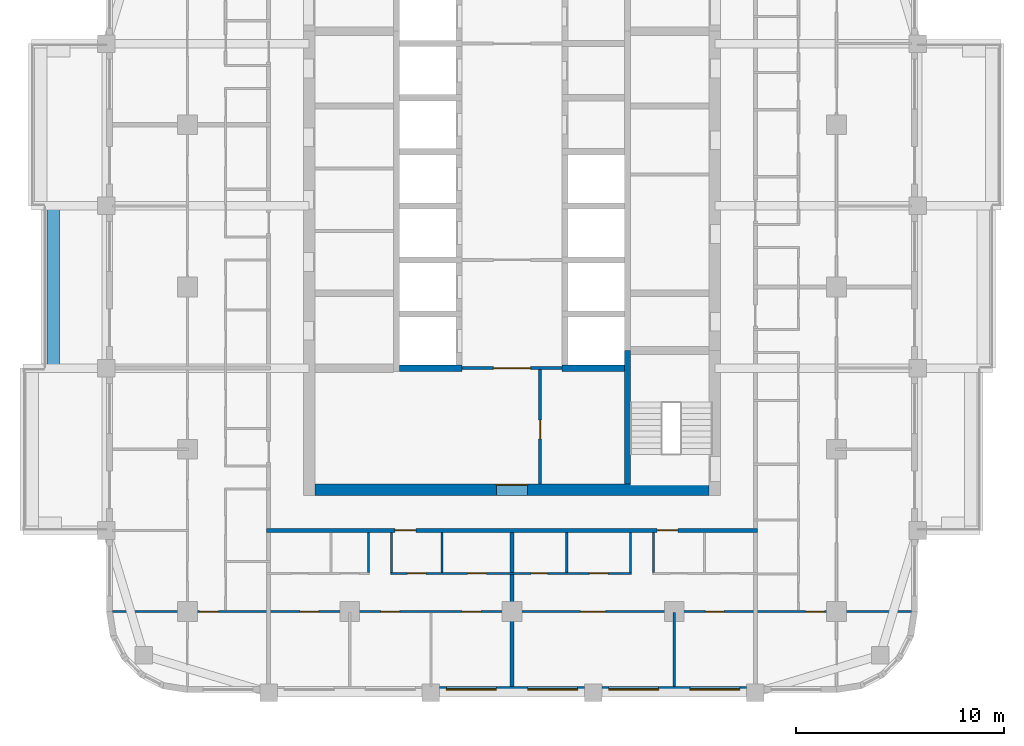
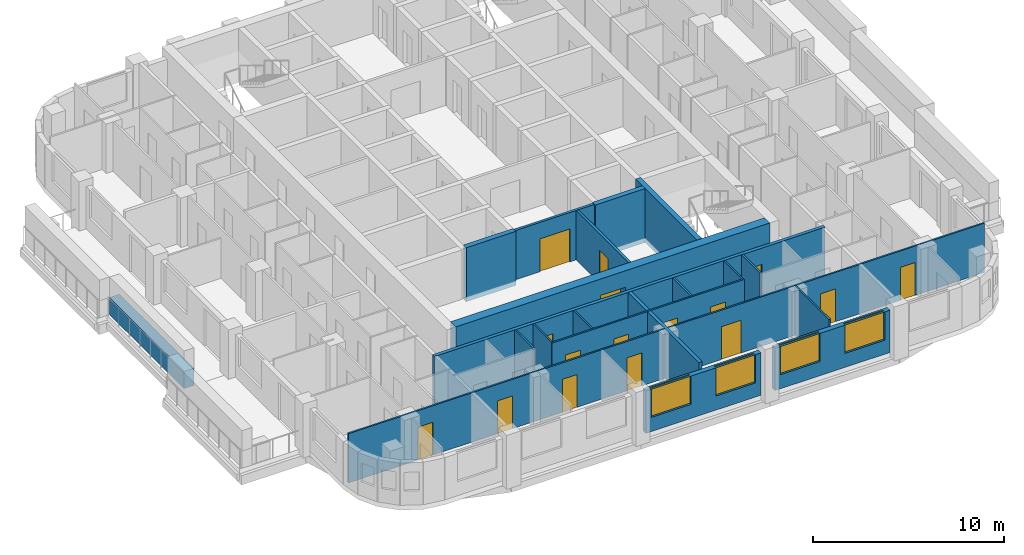
# One storey, part 3 of 13: 20 walls, 16 doors, 4 windows, 20 openings.
"""IFC4 building model written with IfcOpenShell, lengths in metres."""

import ifcopenshell
import ifcopenshell.guid

model = None  # the IFC model being written
_history = None  # IfcOwnerHistory: only IFC2X3 demands one
_inside = {}  # id of a spatial element -> (the spatial element, [elements in it])
_under = {}  # id of a project, library or spatial element -> (it, [spatial elements below it])
_declared = {}  # id of a project -> (the project, [libraries it declares])
_typed = {}  # id of a type object -> (the type object, [elements of that type])
_made_of = {}  # id of a material, layer set ... -> (it, [elements and type objects made of it])


def new_model(schema):
    """Start an empty IFC model of exactly this schema.

    Asked for "IFC4X3", IfcOpenShell would pick the latest addendum, in which some entities
    have other attributes; the version numbers below select the first issue.
    IFC2X3 requires an IfcOwnerHistory on every rooted entity: one is made here for all.
    """
    global model, _history
    if schema == "IFC4X3":
        model = ifcopenshell.file(schema_version=(4, 3, 0, 0))
    else:
        model = ifcopenshell.file(schema=schema)
    _inside.clear()
    _under.clear()
    _declared.clear()
    _typed.clear()
    _made_of.clear()
    _history = None
    if model.schema == "IFC2X3":
        org = make("IfcOrganization", Name="unknown")
        user = make(
            "IfcPersonAndOrganization",
            ThePerson=make("IfcPerson", FamilyName="unknown"),
            TheOrganization=org,
        )
        app = make(
            "IfcApplication",
            ApplicationDeveloper=org,
            Version="unknown",
            ApplicationFullName="unknown",
            ApplicationIdentifier="unknown",
        )
        _history = make(
            "IfcOwnerHistory",
            OwningUser=user,
            OwningApplication=app,
            ChangeAction="ADDED",
            CreationDate=0,
        )
    return model


def make(cls, **values):
    """One entity of the class cls with the attributes given. An attribute that is None is left unset."""
    return model.create_entity(
        cls, **{name: value for name, value in values.items() if value is not None}
    )


def rooted(cls, **values):
    """An entity with a GlobalId (a new one), such as an element, a storey or a relation."""
    return make(cls, GlobalId=ifcopenshell.guid.new(), OwnerHistory=_history, **values)


def si_unit(unit_type, name, prefix=None):
    """IfcSIUnit, for example si_unit("LENGTHUNIT", "METRE", prefix="MILLI")."""
    return make("IfcSIUnit", UnitType=unit_type, Prefix=prefix, Name=name)


def assignment(units):
    """IfcUnitAssignment: the units of a project."""
    return None if units is None else make("IfcUnitAssignment", Units=units)


def point(xyz):
    """IfcCartesianPoint."""
    return None if xyz is None else make("IfcCartesianPoint", Coordinates=xyz)


def direction(xyz):
    """IfcDirection."""
    return None if xyz is None else make("IfcDirection", DirectionRatios=xyz)


def frame(location, z_axis=None, x_axis=None):
    """IfcAxis2Placement3D, a coordinate frame: its origin and axes. An axis left out is left unset."""
    return make(
        "IfcAxis2Placement3D",
        Location=point(location),
        Axis=direction(z_axis),
        RefDirection=direction(x_axis),
    )


def frame_2d(location, x_axis=None):
    """IfcAxis2Placement2D, a coordinate frame in the plane: its origin and x axis."""
    return make(
        "IfcAxis2Placement2D", Location=point(location), RefDirection=direction(x_axis)
    )


def origin():
    """The frame at (0, 0, 0) with its axes left unset."""
    return frame((0.0, 0.0, 0.0))


def place(relative_to, where):
    """IfcLocalPlacement: puts the frame where relative to a parent placement (None: the world)."""
    return make(
        "IfcLocalPlacement", PlacementRelTo=relative_to, RelativePlacement=where
    )


def context(
    kind, dimensions, precision=None, world=None, true_north=None, identifier=None
):
    """IfcGeometricRepresentationContext, for example the 3D "Model" context."""
    return make(
        "IfcGeometricRepresentationContext",
        ContextIdentifier=identifier,
        ContextType=kind,
        CoordinateSpaceDimension=dimensions,
        Precision=precision,
        WorldCoordinateSystem=world,
        TrueNorth=true_north,
    )


def subcontext(parent, identifier, kind, view, scale=None):
    """IfcGeometricRepresentationSubContext, for example "Body" below "Model"."""
    return make(
        "IfcGeometricRepresentationSubContext",
        ContextIdentifier=identifier,
        ContextType=kind,
        ParentContext=parent,
        TargetScale=scale,
        TargetView=view,
    )


def project(units=None, contexts=None):
    """IfcProject with its units and contexts."""
    return rooted(
        "IfcProject",
        Name="project",
        RepresentationContexts=contexts,
        UnitsInContext=assignment(units),
    )


def spatial(cls, under=None, at=None, **own):
    """A site, building, storey or space (cls), placed at a placement, below another one or the project."""
    s = rooted(cls, ObjectPlacement=at, **own)
    if under is not None:
        _under.setdefault(under.id(), (under, []))[1].append(s)
    return s


def profile(cls, at=None, kind="AREA", **sizes):
    """A parametric profile (cls). Its sizes go by their IFC names, for example OverallWidth=200.0."""
    return make(cls, ProfileType=kind, Position=at, **sizes)


def rectangle(**sizes):
    """IfcRectangleProfileDef."""
    return profile("IfcRectangleProfileDef", **sizes)


def extrude(swept, where, along, depth):
    """IfcExtrudedAreaSolid: the profile swept, set in the frame where, extruded along a direction by depth."""
    return make(
        "IfcExtrudedAreaSolid",
        SweptArea=swept,
        Position=where,
        ExtrudedDirection=direction(along),
        Depth=depth,
    )


def shape(context_of_items, identifier, shape_type, items):
    """IfcShapeRepresentation: the items that make up one representation, for example the "Body"."""
    return make(
        "IfcShapeRepresentation",
        ContextOfItems=context_of_items,
        RepresentationIdentifier=identifier,
        RepresentationType=shape_type,
        Items=items,
    )


def material(Name=None, Category=None):
    """IfcMaterial."""
    return make("IfcMaterial", Name=Name, Category=Category)


def layer(
    of_material, thickness, ventilated=None, Name=None, Category=None, Priority=None
):
    """IfcMaterialLayer: one layer of a wall or slab, of a material (None: an air gap)."""
    return make(
        "IfcMaterialLayer",
        Material=of_material,
        LayerThickness=thickness,
        IsVentilated=ventilated,
        Name=Name,
        Category=Category,
        Priority=Priority,
    )


def layer_set(layers, Name=None):
    """IfcMaterialLayerSet."""
    return make("IfcMaterialLayerSet", MaterialLayers=layers, LayerSetName=Name)


def made_of(thing, what):
    """Note that an element or type object is made of a material, layer set ...; save() writes the relation."""
    if what is not None:
        _made_of.setdefault(what.id(), (what, []))[1].append(thing)
    return thing


def type_object(cls, material=None, **own):
    """A type object (cls), such as IfcWallType, which elements share."""
    return made_of(rooted(cls, **own), material)


def element(
    cls,
    number,
    at=None,
    inside=None,
    cuts=None,
    type_object=None,
    material=None,
    context=None,
    identifier="Body",
    shape_type=None,
    held_by="IfcProductDefinitionShape",
    body=None,
    shapes=None,
    **own,
):
    """One element of the class cls, such as IfcWall. Its Tag is "e" and its number.

    at: its placement. inside: the storey or other place that contains it. cuts: it is an
    opening in that element (IfcRelVoidsElement). A single representation is given by context,
    identifier, shape_type and body (its items); several are given by shapes. held_by: the class
    of the entity that holds the representations. save() writes the other relations.
    """
    e = rooted(cls, Tag="e%d" % number, ObjectPlacement=at, **own)
    if body is not None:
        shapes = [shape(context, identifier, shape_type, body)]
    if shapes is not None:
        e.Representation = make(held_by, Representations=shapes)
    if inside is not None:
        _inside.setdefault(inside.id(), (inside, []))[1].append(e)
    if cuts is not None:
        rooted(
            "IfcRelVoidsElement", RelatingBuildingElement=cuts, RelatedOpeningElement=e
        )
    if type_object is not None:
        _typed.setdefault(type_object.id(), (type_object, []))[1].append(e)
    return made_of(e, material)


def fill(opening, filler):
    """IfcRelFillsElement: the door or window that sits in an opening."""
    return rooted(
        "IfcRelFillsElement",
        RelatingOpeningElement=opening,
        RelatedBuildingElement=filler,
    )


def aggregate(whole, parts):
    """IfcRelAggregates: a whole, such as a stair, and the parts it consists of."""
    return rooted("IfcRelAggregates", RelatingObject=whole, RelatedObjects=parts)


def save(model, path):
    """Write the relations noted so far, then the file.

    IfcRelAggregates (storeys below a building ...), IfcRelContainedInSpatialStructure (elements
    in a storey), IfcRelDefinesByType, IfcRelAssociatesMaterial and IfcRelDeclares: one each for
    every whole, place, type object, material and project.
    """
    for whole, parts in _under.values():
        aggregate(whole, parts)
    for where, things in _inside.values():
        rooted(
            "IfcRelContainedInSpatialStructure",
            RelatedElements=things,
            RelatingStructure=where,
        )
    for kind, things in _typed.values():
        rooted("IfcRelDefinesByType", RelatedObjects=things, RelatingType=kind)
    for what, things in _made_of.values():
        rooted("IfcRelAssociatesMaterial", RelatedObjects=things, RelatingMaterial=what)
    for by, libraries in _declared.values():
        rooted("IfcRelDeclares", RelatingContext=by, RelatedDefinitions=libraries)
    model.write(path)


model = new_model("IFC4")

# Units and contexts
model_context = context("Model", 3, precision=1e-05, world=origin(), true_north=direction((0.0, 1.0)))
body_context = subcontext(model_context, "Body", "Model", "MODEL_VIEW")
ifc_project = project(units=[si_unit("LENGTHUNIT", "METRE"), si_unit("AREAUNIT", "SQUARE_METRE"), si_unit("VOLUMEUNIT", "CUBIC_METRE"), si_unit("PLANEANGLEUNIT", "RADIAN"), si_unit("MASSUNIT", "GRAM", prefix="KILO")], contexts=[model_context])

# Site, building, storey
site_placement = place(None, origin())
site = spatial("IfcSite", under=ifc_project, at=site_placement, CompositionType="ELEMENT")
building_placement = place(site_placement, origin())
building = spatial("IfcBuilding", under=site, at=building_placement, Name="Ludao Terraces", CompositionType="ELEMENT")
storey_placement = place(building_placement, frame((0.0, 0.0, 123.699951171875)))
storey = spatial("IfcBuildingStorey", under=building, at=storey_placement, Name="L33", CompositionType="ELEMENT", Elevation=123.699951171875)

# Wall, opening, door
ifc_material_1 = material(Name="Concrete C60", Category="concrete")
ifc_layer_1 = layer(ifc_material_1, 0.550048828125)
ifc_layer_set_1 = layer_set([ifc_layer_1], Name="Core wall 550 C60")
wall_type_1 = type_object("IfcWallType", Name="Core wall 550 C60", PredefinedType="SOLIDWALL", material=ifc_layer_set_1)
wall_1_placement = place(storey_placement, frame((75.52490234375, 55.25, -0.300048828125), z_axis=(0.0, 0.0, 1.0), x_axis=(1.0, 0.0, 0.0)))
wall_1 = element("IfcWall", 1, at=wall_1_placement, inside=storey, type_object=wall_type_1, Name="Core wall L33 outer-S", PredefinedType="SOLIDWALL", context=body_context, shape_type="SweptSolid", body=[
    extrude(rectangle(XDim=18.9501953125, YDim=0.550048828125, at=frame_2d((9.47509765625, 0.0))), origin(), (0.0, 0.0, 1.0), 3.4501953125),
])
opening_1_placement = place(wall_1_placement, frame((8.72509765625, 0.0, 0.300048828125)))
opening_1 = element("IfcOpeningElement", 2, at=opening_1_placement, cuts=wall_1, Name="Opening R10-028", PredefinedType="OPENING", context=body_context, shape_type="SweptSolid", body=[
    extrude(rectangle(XDim=1.5, YDim=2.10009765625, at=frame_2d((0.75, 1.050048828125))), frame((0.0, 0.28515625, 0.0), z_axis=(0.0, -1.0, 0.0), x_axis=(1.0, 0.0, 0.0)), (0.0, 0.0, 1.0), 0.570068359375),
])
ifc_material_2 = material(Name="Steel Q235", Category="steel")
door_type_1 = type_object("IfcDoorType", Name="INT Lobby door 1500", OperationType="DOUBLE_DOOR_SINGLE_SWING", PredefinedType="DOOR", material=ifc_material_2)
door_1_placement = place(opening_1_placement, origin())
door_1 = element("IfcDoor", 3, at=door_1_placement, inside=storey, type_object=door_type_1, Name="DOOR 028", OperationType="DOUBLE_DOOR_SINGLE_SWING", OverallHeight=2.10009765625, OverallWidth=1.5, PredefinedType="DOOR", context=body_context, shape_type="SweptSolid", body=[
    extrude(rectangle(XDim=1.5, YDim=2.10009765625, at=frame_2d((0.75, 1.050048828125))), frame((0.0, 0.26025390625, 0.0), z_axis=(0.0, -1.0, 0.0), x_axis=(1.0, 0.0, 0.0)), (0.0, 0.0, 1.0), 0.050048828125),
])
fill(opening_1, door_1)

# Wall
ifc_material_3 = material(Name="Concrete C40", Category="concrete")
ifc_layer_2 = layer(ifc_material_3, 0.60009765625)
ifc_layer_set_2 = layer_set([ifc_layer_2], Name="ENV Planter trough 600")
wall_type_2 = type_object("IfcWallType", Name="ENV Planter trough 600", PredefinedType="USERDEFINED", material=ifc_layer_set_2)
wall_2_placement = place(storey_placement, frame((62.949951171875, 61.10009765625, 0.0), z_axis=(0.0, 0.0, 1.0), x_axis=(0.0, 1.0, 0.0)))
element("IfcWall", 4, at=wall_2_placement, inside=storey, type_object=wall_type_2, Name="PL-L33-W2", ObjectType="PLANTER", PredefinedType="USERDEFINED", context=body_context, shape_type="SweptSolid", body=[
    extrude(rectangle(XDim=7.7998046875, YDim=0.60009765625, at=frame_2d((3.89990234375, 0.0))), origin(), (0.0, 0.0, 1.0), 1.10009765625),
])

# Wall, openings, windows
ifc_material_4 = material(Name="Granite cladding", Category="masonry")
ifc_layer_3 = layer(ifc_material_4, 0.0400390625, Category="stone")
ifc_material_5 = material(Name="Mineral wool")
ifc_layer_4 = layer(ifc_material_5, 0.06005859375)
ifc_layer_5 = layer(ifc_material_3, 0.199951171875, Category="concrete")
ifc_layer_set_3 = layer_set([ifc_layer_3, ifc_layer_4, ifc_layer_5], Name="ENV Stone-clad wall 300")
wall_type_3 = type_object("IfcWallType", Name="ENV Stone-clad wall 300", PredefinedType="SOLIDWALL", material=ifc_layer_set_3)
wall_3_placement = place(storey_placement, frame((81.52490234375, 45.64990234375, 0.0), z_axis=(0.0, 0.0, 1.0), x_axis=(1.0, 0.0, 0.0)))
wall_3 = element("IfcWall", 5, at=wall_3_placement, inside=storey, type_object=wall_type_3, Name="EW-L33-S3", PredefinedType="SOLIDWALL", context=body_context, shape_type="SweptSolid", body=[
    extrude(rectangle(XDim=6.9501953125, YDim=0.300048828125, at=frame_2d((3.47509765625, 0.0))), origin(), (0.0, 0.0, 1.0), 2.699951171875),
])
opening_2_placement = place(wall_3_placement, frame((0.324951171875, 0.0, 0.89990234375)))
opening_2 = element("IfcOpeningElement", 6, at=opening_2_placement, cuts=wall_3, Name="Opening W1", PredefinedType="OPENING", context=body_context, shape_type="SweptSolid", body=[
    extrude(rectangle(XDim=2.39990234375, YDim=1.800048828125, at=frame_2d((1.199951171875, 0.89990234375))), frame((0.0, 0.16015625, 0.0), z_axis=(0.0, -1.0, 0.0), x_axis=(1.0, 0.0, 0.0)), (0.0, 0.0, 1.0), 0.320068359375),
])
opening_3_placement = place(wall_3_placement, frame((4.22509765625, 0.0, 0.89990234375)))
opening_3 = element("IfcOpeningElement", 7, at=opening_3_placement, cuts=wall_3, Name="Opening W1", PredefinedType="OPENING", context=body_context, shape_type="SweptSolid", body=[
    extrude(rectangle(XDim=2.39990234375, YDim=1.800048828125, at=frame_2d((1.199951171875, 0.89990234375))), frame((0.0, 0.16015625, 0.0), z_axis=(0.0, -1.0, 0.0), x_axis=(1.0, 0.0, 0.0)), (0.0, 0.0, 1.0), 0.320068359375),
])
ifc_material_6 = material(Name="Clear glass in aluminium frame", Category="aluminium")
ifc_layer_6 = layer(ifc_material_6, 0.06005859375)
ifc_layer_set_4 = layer_set([ifc_layer_6], Name="ENV Window W1 2400x1800")
window_type = type_object("IfcWindowType", Name="ENV Window W1 2400x1800", PartitioningType="DOUBLE_PANEL_VERTICAL", PredefinedType="WINDOW", material=ifc_layer_set_4)
window_1_placement = place(opening_2_placement, origin())
window_1 = element("IfcWindow", 8, at=window_1_placement, inside=storey, type_object=window_type, Name="W-L33-S3-1", OverallHeight=1.800048828125, OverallWidth=2.39990234375, PartitioningType="DOUBLE_PANEL_VERTICAL", PredefinedType="WINDOW", context=body_context, shape_type="SweptSolid", body=[
    extrude(rectangle(XDim=2.39990234375, YDim=1.800048828125, at=frame_2d((1.199951171875, 0.89990234375))), frame((0.0, 0.030029296875, 0.0), z_axis=(0.0, -1.0, 0.0), x_axis=(1.0, 0.0, 0.0)), (0.0, 0.0, 1.0), 0.06005859375),
])
fill(opening_2, window_1)
window_2_placement = place(opening_3_placement, origin())
window_2 = element("IfcWindow", 9, at=window_2_placement, inside=storey, type_object=window_type, Name="W-L33-S3-2", OverallHeight=1.800048828125, OverallWidth=2.39990234375, PartitioningType="DOUBLE_PANEL_VERTICAL", PredefinedType="WINDOW", context=body_context, shape_type="SweptSolid", body=[
    extrude(rectangle(XDim=2.39990234375, YDim=1.800048828125, at=frame_2d((1.199951171875, 0.89990234375))), frame((0.0, 0.030029296875, 0.0), z_axis=(0.0, -1.0, 0.0), x_axis=(1.0, 0.0, 0.0)), (0.0, 0.0, 1.0), 0.06005859375),
])
fill(opening_3, window_2)

wall_4_placement = place(storey_placement, frame((89.324951171875, 45.64990234375, 0.0), z_axis=(0.0, 0.0, 1.0), x_axis=(1.0, 0.0, 0.0)))
wall_4 = element("IfcWall", 10, at=wall_4_placement, inside=storey, type_object=wall_type_3, Name="EW-L33-S4", PredefinedType="SOLIDWALL", context=body_context, shape_type="SweptSolid", body=[
    extrude(rectangle(XDim=6.949951171875, YDim=0.300048828125, at=frame_2d((3.47509765625, 0.0))), origin(), (0.0, 0.0, 1.0), 2.699951171875),
])
opening_4_placement = place(wall_4_placement, frame((0.324951171875, 0.0, 0.89990234375)))
opening_4 = element("IfcOpeningElement", 11, at=opening_4_placement, cuts=wall_4, Name="Opening W1", PredefinedType="OPENING", context=body_context, shape_type="SweptSolid", body=[
    extrude(rectangle(XDim=2.39990234375, YDim=1.800048828125, at=frame_2d((1.199951171875, 0.89990234375))), frame((0.0, 0.16015625, 0.0), z_axis=(0.0, -1.0, 0.0), x_axis=(1.0, 0.0, 0.0)), (0.0, 0.0, 1.0), 0.320068359375),
])
opening_5_placement = place(wall_4_placement, frame((4.22509765625, 0.0, 0.89990234375)))
opening_5 = element("IfcOpeningElement", 12, at=opening_5_placement, cuts=wall_4, Name="Opening W1", PredefinedType="OPENING", context=body_context, shape_type="SweptSolid", body=[
    extrude(rectangle(XDim=2.39990234375, YDim=1.800048828125, at=frame_2d((1.199951171875, 0.89990234375))), frame((0.0, 0.16015625, 0.0), z_axis=(0.0, -1.0, 0.0), x_axis=(1.0, 0.0, 0.0)), (0.0, 0.0, 1.0), 0.320068359375),
])
window_3_placement = place(opening_4_placement, origin())
window_3 = element("IfcWindow", 13, at=window_3_placement, inside=storey, type_object=window_type, Name="W-L33-S4-1", OverallHeight=1.800048828125, OverallWidth=2.39990234375, PartitioningType="DOUBLE_PANEL_VERTICAL", PredefinedType="WINDOW", context=body_context, shape_type="SweptSolid", body=[
    extrude(rectangle(XDim=2.39990234375, YDim=1.800048828125, at=frame_2d((1.199951171875, 0.89990234375))), frame((0.0, 0.030029296875, 0.0), z_axis=(0.0, -1.0, 0.0), x_axis=(1.0, 0.0, 0.0)), (0.0, 0.0, 1.0), 0.06005859375),
])
fill(opening_4, window_3)
window_4_placement = place(opening_5_placement, origin())
window_4 = element("IfcWindow", 14, at=window_4_placement, inside=storey, type_object=window_type, Name="W-L33-S4-2", OverallHeight=1.800048828125, OverallWidth=2.39990234375, PartitioningType="DOUBLE_PANEL_VERTICAL", PredefinedType="WINDOW", context=body_context, shape_type="SweptSolid", body=[
    extrude(rectangle(XDim=2.39990234375, YDim=1.800048828125, at=frame_2d((1.199951171875, 0.89990234375))), frame((0.0, 0.030029296875, 0.0), z_axis=(0.0, -1.0, 0.0), x_axis=(1.0, 0.0, 0.0)), (0.0, 0.0, 1.0), 0.06005859375),
])
fill(opening_5, window_4)

# Wall, opening, door
ifc_material_7 = material(Name="Fire-rated gypsum plasterboard", Category="gypsum")
ifc_layer_7 = layer(ifc_material_7, 0.012451171875, Category="gypsum")
ifc_layer_8 = layer(ifc_material_5, 0.10009765625, Name="insulation")
ifc_layer_9 = layer(ifc_material_2, 0.02490234375, Name="stud")
ifc_layer_10 = layer(ifc_material_7, 0.012451171875, Category="gypsum")
ifc_layer_set_5 = layer_set([ifc_layer_7, ifc_layer_8, ifc_layer_9, ifc_layer_10], Name="INT Core partition 150")
wall_type_4 = type_object("IfcWallType", Name="INT Core partition 150", PredefinedType="PARTITIONING", material=ifc_layer_set_5)
wall_5_placement = place(storey_placement, frame((82.60009765625, 61.10009765625, 0.0), z_axis=(0.0, 0.0, 1.0), x_axis=(1.0, 0.0, 0.0)))
wall_5 = element("IfcWall", 15, at=wall_5_placement, inside=storey, type_object=wall_type_4, Name="PW-L33-PW017", PredefinedType="PARTITIONING", context=body_context, shape_type="SweptSolid", body=[
    extrude(rectangle(XDim=4.800048828125, YDim=0.14990234375, at=frame_2d((2.39990234375, 0.0))), origin(), (0.0, 0.0, 1.0), 3.150146484375),
])
opening_6_placement = place(wall_5_placement, frame((1.5, 0.0, 0.0)))
opening_6 = element("IfcOpeningElement", 16, at=opening_6_placement, cuts=wall_5, Name="Opening R10-038", PredefinedType="OPENING", context=body_context, shape_type="SweptSolid", body=[
    extrude(rectangle(XDim=1.800048828125, YDim=2.10009765625, at=frame_2d((0.89990234375, 1.050048828125))), frame((0.0, 0.0849609375, 0.0), z_axis=(0.0, -1.0, 0.0), x_axis=(1.0, 0.0, 0.0)), (0.0, 0.0, 1.0), 0.169921875),
])
door_type_2 = type_object("IfcDoorType", Name="INT Fire lobby door 1800", OperationType="DOUBLE_DOOR_SINGLE_SWING", PredefinedType="DOOR", material=ifc_material_2)
door_2_placement = place(opening_6_placement, origin())
door_2 = element("IfcDoor", 17, at=door_2_placement, inside=storey, type_object=door_type_2, Name="DOOR 038", OperationType="DOUBLE_DOOR_SINGLE_SWING", OverallHeight=2.10009765625, OverallWidth=1.800048828125, PredefinedType="DOOR", context=body_context, shape_type="SweptSolid", body=[
    extrude(rectangle(XDim=1.800048828125, YDim=2.10009765625, at=frame_2d((0.89990234375, 1.050048828125))), frame((0.0, 0.02490234375, 0.0), z_axis=(0.0, -1.0, 0.0), x_axis=(1.0, 0.0, 0.0)), (0.0, 0.0, 1.0), 0.050048828125),
])
fill(opening_6, door_2)

wall_6_placement = place(storey_placement, frame((86.35009765625, 55.525146484375, 0.0), z_axis=(0.0, 0.0, 1.0), x_axis=(0.0, 1.0, 0.0)))
wall_6 = element("IfcWall", 18, at=wall_6_placement, inside=storey, type_object=wall_type_4, Name="PW-L33-PW060", PredefinedType="PARTITIONING", context=body_context, shape_type="SweptSolid", body=[
    extrude(rectangle(XDim=5.5, YDim=0.14990234375, at=frame_2d((2.75, 0.0))), origin(), (0.0, 0.0, 1.0), 3.150146484375),
])
opening_7_placement = place(wall_6_placement, frame((2.175048828125, 0.0, 0.0)))
opening_7 = element("IfcOpeningElement", 19, at=opening_7_placement, cuts=wall_6, Name="Opening R10-033", PredefinedType="OPENING", context=body_context, shape_type="SweptSolid", body=[
    extrude(rectangle(XDim=0.89990234375, YDim=2.10009765625, at=frame_2d((0.449951171875, 1.050048828125))), frame((0.0, 0.0849609375, 0.0), z_axis=(0.0, -1.0, 0.0), x_axis=(1.0, 0.0, 0.0)), (0.0, 0.0, 1.0), 0.169921875),
])
ifc_material_8 = material(Name="Timber door leaf", Category="wood")
door_type_3 = type_object("IfcDoorType", Name="INT Room door 900", OperationType="SINGLE_SWING_LEFT", PredefinedType="DOOR", material=ifc_material_8)
door_3_placement = place(opening_7_placement, origin())
door_3 = element("IfcDoor", 20, at=door_3_placement, inside=storey, type_object=door_type_3, Name="DOOR 033", OperationType="SINGLE_SWING_RIGHT", OverallHeight=2.10009765625, OverallWidth=0.89990234375, PredefinedType="DOOR", context=body_context, shape_type="SweptSolid", body=[
    extrude(rectangle(XDim=0.89990234375, YDim=2.10009765625, at=frame_2d((0.449951171875, 1.050048828125))), frame((0.0, 0.02490234375, 0.0), z_axis=(0.0, -1.0, 0.0), x_axis=(1.0, 0.0, 0.0)), (0.0, 0.0, 1.0), 0.050048828125),
])
fill(opening_7, door_3)

# Wall, openings, doors
ifc_material_9 = material(Name="Autoclaved aerated concrete block B06 A3.5", Category="concrete")
ifc_layer_11 = layer(ifc_material_9, 0.199951171875)
ifc_layer_set_6 = layer_set([ifc_layer_11], Name="INT Entrance wall 200")
wall_type_5 = type_object("IfcWallType", Name="INT Entrance wall 200", PredefinedType="PARTITIONING", material=ifc_layer_set_6)
wall_7_placement = place(storey_placement, frame((73.2001953125, 53.300048828125, 0.0), z_axis=(0.0, 0.0, 1.0), x_axis=(1.0, 0.0, 0.0)))
wall_7 = element("IfcWall", 21, at=wall_7_placement, inside=storey, type_object=wall_type_5, Name="PW-L33-PW007", PredefinedType="PARTITIONING", context=body_context, shape_type="SweptSolid", body=[
    extrude(rectangle(XDim=23.599853515625, YDim=0.199951171875, at=frame_2d((11.7998046875, 0.0))), origin(), (0.0, 0.0, 1.0), 3.150146484375),
])
opening_8_placement = place(wall_7_placement, frame((6.1748046875, 0.0, 0.0)))
opening_8 = element("IfcOpeningElement", 22, at=opening_8_placement, cuts=wall_7, Name="Opening R10-022", PredefinedType="OPENING", context=body_context, shape_type="SweptSolid", body=[
    extrude(rectangle(XDim=1.0, YDim=2.10009765625, at=frame_2d((0.5, 1.050048828125))), frame((0.0, 0.10986328125, 0.0), z_axis=(0.0, -1.0, 0.0), x_axis=(1.0, 0.0, 0.0)), (0.0, 0.0, 1.0), 0.219970703125),
])
opening_9_placement = place(wall_7_placement, frame((18.77490234375, 0.0, 0.0)))
opening_9 = element("IfcOpeningElement", 23, at=opening_9_placement, cuts=wall_7, Name="Opening R10-023", PredefinedType="OPENING", context=body_context, shape_type="SweptSolid", body=[
    extrude(rectangle(XDim=1.0, YDim=2.10009765625, at=frame_2d((0.5, 1.050048828125))), frame((0.0, 0.10986328125, 0.0), z_axis=(0.0, -1.0, 0.0), x_axis=(1.0, 0.0, 0.0)), (0.0, 0.0, 1.0), 0.219970703125),
])
door_type_4 = type_object("IfcDoorType", Name="INT Flat entrance door 1000", OperationType="SINGLE_SWING_LEFT", PredefinedType="DOOR", material=ifc_material_2)
door_4_placement = place(opening_8_placement, origin())
door_4 = element("IfcDoor", 24, at=door_4_placement, inside=storey, type_object=door_type_4, Name="DOOR 022", OperationType="SINGLE_SWING_LEFT", OverallHeight=2.10009765625, OverallWidth=1.0, PredefinedType="DOOR", context=body_context, shape_type="SweptSolid", body=[
    extrude(rectangle(XDim=1.0, YDim=2.10009765625, at=frame_2d((0.5, 1.050048828125))), frame((0.0, 0.02490234375, 0.0), z_axis=(0.0, -1.0, 0.0), x_axis=(1.0, 0.0, 0.0)), (0.0, 0.0, 1.0), 0.050048828125),
])
fill(opening_8, door_4)
door_5_placement = place(opening_9_placement, origin())
door_5 = element("IfcDoor", 25, at=door_5_placement, inside=storey, type_object=door_type_4, Name="DOOR 023", OperationType="SINGLE_SWING_LEFT", OverallHeight=2.10009765625, OverallWidth=1.0, PredefinedType="DOOR", context=body_context, shape_type="SweptSolid", body=[
    extrude(rectangle(XDim=1.0, YDim=2.10009765625, at=frame_2d((0.5, 1.050048828125))), frame((0.0, 0.02490234375, 0.0), z_axis=(0.0, -1.0, 0.0), x_axis=(1.0, 0.0, 0.0)), (0.0, 0.0, 1.0), 0.050048828125),
])
fill(opening_9, door_5)

ifc_material_10 = material(Name="Gypsum plasterboard", Category="gypsum")
ifc_layer_12 = layer(ifc_material_10, 0.012451171875, Category="gypsum")
ifc_layer_13 = layer(ifc_material_5, 0.06005859375, Name="insulation")
ifc_layer_14 = layer(ifc_material_2, 0.014892578125, Name="stud")
ifc_layer_15 = layer(ifc_material_10, 0.012451171875, Category="gypsum")
ifc_layer_set_7 = layer_set([ifc_layer_12, ifc_layer_13, ifc_layer_14, ifc_layer_15], Name="INT Partition 100")
wall_type_6 = type_object("IfcWallType", Name="INT Partition 100", PredefinedType="PARTITIONING", material=ifc_layer_set_7)
wall_8_placement = place(storey_placement, frame((65.800048828125, 49.39990234375, 0.0), z_axis=(0.0, 0.0, 1.0), x_axis=(1.0, 0.0, 0.0)))
wall_8 = element("IfcWall", 26, at=wall_8_placement, inside=storey, type_object=wall_type_6, Name="PW-L33-PW000", PredefinedType="PARTITIONING", context=body_context, shape_type="SweptSolid", body=[
    extrude(rectangle(XDim=38.400146484375, YDim=0.10009765625, at=frame_2d((19.2001953125, 0.0))), origin(), (0.0, 0.0, 1.0), 3.150146484375),
])
opening_10_placement = place(wall_8_placement, frame((4.18994140625, 0.0, 0.0)))
opening_10 = element("IfcOpeningElement", 27, at=opening_10_placement, cuts=wall_8, Name="Opening R10-003", PredefinedType="OPENING", context=body_context, shape_type="SweptSolid", body=[
    extrude(rectangle(XDim=0.89990234375, YDim=2.10009765625, at=frame_2d((0.449951171875, 1.050048828125))), frame((0.0, 0.06005859375, 0.0), z_axis=(0.0, -1.0, 0.0), x_axis=(1.0, 0.0, 0.0)), (0.0, 0.0, 1.0), 0.1201171875),
])
opening_11_placement = place(wall_8_placement, frame((9.0, 0.0, 0.0)))
opening_11 = element("IfcOpeningElement", 28, at=opening_11_placement, cuts=wall_8, Name="Opening R10-004", PredefinedType="OPENING", context=body_context, shape_type="SweptSolid", body=[
    extrude(rectangle(XDim=0.89990234375, YDim=2.10009765625, at=frame_2d((0.449951171875, 1.050048828125))), frame((0.0, 0.06005859375, 0.0), z_axis=(0.0, -1.0, 0.0), x_axis=(1.0, 0.0, 0.0)), (0.0, 0.0, 1.0), 0.1201171875),
])
opening_12_placement = place(wall_8_placement, frame((12.89990234375, 0.0, 0.0)))
opening_12 = element("IfcOpeningElement", 29, at=opening_12_placement, cuts=wall_8, Name="Opening R10-005", PredefinedType="OPENING", context=body_context, shape_type="SweptSolid", body=[
    extrude(rectangle(XDim=0.89990234375, YDim=2.10009765625, at=frame_2d((0.449951171875, 1.050048828125))), frame((0.0, 0.06005859375, 0.0), z_axis=(0.0, -1.0, 0.0), x_axis=(1.0, 0.0, 0.0)), (0.0, 0.0, 1.0), 0.1201171875),
])
opening_13_placement = place(wall_8_placement, frame((16.800048828125, 0.0, 0.0)))
opening_13 = element("IfcOpeningElement", 30, at=opening_13_placement, cuts=wall_8, Name="Opening R10-006", PredefinedType="OPENING", context=body_context, shape_type="SweptSolid", body=[
    extrude(rectangle(XDim=0.89990234375, YDim=2.10009765625, at=frame_2d((0.449951171875, 1.050048828125))), frame((0.0, 0.06005859375, 0.0), z_axis=(0.0, -1.0, 0.0), x_axis=(1.0, 0.0, 0.0)), (0.0, 0.0, 1.0), 0.1201171875),
])
opening_14_placement = place(wall_8_placement, frame((22.5, 0.0, 0.0)))
opening_14 = element("IfcOpeningElement", 31, at=opening_14_placement, cuts=wall_8, Name="Opening R10-007", PredefinedType="OPENING", context=body_context, shape_type="SweptSolid", body=[
    extrude(rectangle(XDim=1.199951171875, YDim=2.10009765625, at=frame_2d((0.60009765625, 1.050048828125))), frame((0.0, 0.06005859375, 0.0), z_axis=(0.0, -1.0, 0.0), x_axis=(1.0, 0.0, 0.0)), (0.0, 0.0, 1.0), 0.1201171875),
])
opening_15_placement = place(wall_8_placement, frame((28.5, 0.0, 0.0)))
opening_15 = element("IfcOpeningElement", 32, at=opening_15_placement, cuts=wall_8, Name="Opening R10-008", PredefinedType="OPENING", context=body_context, shape_type="SweptSolid", body=[
    extrude(rectangle(XDim=0.89990234375, YDim=2.10009765625, at=frame_2d((0.449951171875, 1.050048828125))), frame((0.0, 0.06005859375, 0.0), z_axis=(0.0, -1.0, 0.0), x_axis=(1.0, 0.0, 0.0)), (0.0, 0.0, 1.0), 0.1201171875),
])
opening_16_placement = place(wall_8_placement, frame((33.31005859375, 0.0, 0.0)))
opening_16 = element("IfcOpeningElement", 33, at=opening_16_placement, cuts=wall_8, Name="Opening R10-009", PredefinedType="OPENING", context=body_context, shape_type="SweptSolid", body=[
    extrude(rectangle(XDim=0.89990234375, YDim=2.10009765625, at=frame_2d((0.449951171875, 1.050048828125))), frame((0.0, 0.06005859375, 0.0), z_axis=(0.0, -1.0, 0.0), x_axis=(1.0, 0.0, 0.0)), (0.0, 0.0, 1.0), 0.1201171875),
])
door_type_5 = type_object("IfcDoorType", Name="INT Double door 1200", OperationType="DOUBLE_DOOR_SINGLE_SWING", PredefinedType="DOOR", material=ifc_material_8)
door_6_placement = place(opening_14_placement, origin())
door_6 = element("IfcDoor", 34, at=door_6_placement, inside=storey, type_object=door_type_5, Name="DOOR 007", OperationType="DOUBLE_DOOR_SINGLE_SWING", OverallHeight=2.10009765625, OverallWidth=1.199951171875, PredefinedType="DOOR", context=body_context, shape_type="SweptSolid", body=[
    extrude(rectangle(XDim=1.199951171875, YDim=2.10009765625, at=frame_2d((0.60009765625, 1.050048828125))), frame((0.0, 0.02490234375, 0.0), z_axis=(0.0, -1.0, 0.0), x_axis=(1.0, 0.0, 0.0)), (0.0, 0.0, 1.0), 0.050048828125),
])
fill(opening_14, door_6)
door_7_placement = place(opening_10_placement, origin())
door_7 = element("IfcDoor", 35, at=door_7_placement, inside=storey, type_object=door_type_3, Name="DOOR 003", OperationType="SINGLE_SWING_RIGHT", OverallHeight=2.10009765625, OverallWidth=0.89990234375, PredefinedType="DOOR", context=body_context, shape_type="SweptSolid", body=[
    extrude(rectangle(XDim=0.89990234375, YDim=2.10009765625, at=frame_2d((0.449951171875, 1.050048828125))), frame((0.0, 0.02490234375, 0.0), z_axis=(0.0, -1.0, 0.0), x_axis=(1.0, 0.0, 0.0)), (0.0, 0.0, 1.0), 0.050048828125),
])
fill(opening_10, door_7)
door_8_placement = place(opening_11_placement, origin())
door_8 = element("IfcDoor", 36, at=door_8_placement, inside=storey, type_object=door_type_3, Name="DOOR 004", OperationType="SINGLE_SWING_LEFT", OverallHeight=2.10009765625, OverallWidth=0.89990234375, PredefinedType="DOOR", context=body_context, shape_type="SweptSolid", body=[
    extrude(rectangle(XDim=0.89990234375, YDim=2.10009765625, at=frame_2d((0.449951171875, 1.050048828125))), frame((0.0, 0.02490234375, 0.0), z_axis=(0.0, -1.0, 0.0), x_axis=(1.0, 0.0, 0.0)), (0.0, 0.0, 1.0), 0.050048828125),
])
fill(opening_11, door_8)
door_9_placement = place(opening_12_placement, origin())
door_9 = element("IfcDoor", 37, at=door_9_placement, inside=storey, type_object=door_type_3, Name="DOOR 005", OperationType="SINGLE_SWING_RIGHT", OverallHeight=2.10009765625, OverallWidth=0.89990234375, PredefinedType="DOOR", context=body_context, shape_type="SweptSolid", body=[
    extrude(rectangle(XDim=0.89990234375, YDim=2.10009765625, at=frame_2d((0.449951171875, 1.050048828125))), frame((0.0, 0.02490234375, 0.0), z_axis=(0.0, -1.0, 0.0), x_axis=(1.0, 0.0, 0.0)), (0.0, 0.0, 1.0), 0.050048828125),
])
fill(opening_12, door_9)
door_10_placement = place(opening_13_placement, origin())
door_10 = element("IfcDoor", 38, at=door_10_placement, inside=storey, type_object=door_type_3, Name="DOOR 006", OperationType="SINGLE_SWING_RIGHT", OverallHeight=2.10009765625, OverallWidth=0.89990234375, PredefinedType="DOOR", context=body_context, shape_type="SweptSolid", body=[
    extrude(rectangle(XDim=0.89990234375, YDim=2.10009765625, at=frame_2d((0.449951171875, 1.050048828125))), frame((0.0, 0.02490234375, 0.0), z_axis=(0.0, -1.0, 0.0), x_axis=(1.0, 0.0, 0.0)), (0.0, 0.0, 1.0), 0.050048828125),
])
fill(opening_13, door_10)
door_11_placement = place(opening_15_placement, origin())
door_11 = element("IfcDoor", 39, at=door_11_placement, inside=storey, type_object=door_type_3, Name="DOOR 008", OperationType="SINGLE_SWING_RIGHT", OverallHeight=2.10009765625, OverallWidth=0.89990234375, PredefinedType="DOOR", context=body_context, shape_type="SweptSolid", body=[
    extrude(rectangle(XDim=0.89990234375, YDim=2.10009765625, at=frame_2d((0.449951171875, 1.050048828125))), frame((0.0, 0.02490234375, 0.0), z_axis=(0.0, -1.0, 0.0), x_axis=(1.0, 0.0, 0.0)), (0.0, 0.0, 1.0), 0.050048828125),
])
fill(opening_15, door_11)
door_12_placement = place(opening_16_placement, origin())
door_12 = element("IfcDoor", 40, at=door_12_placement, inside=storey, type_object=door_type_3, Name="DOOR 009", OperationType="SINGLE_SWING_LEFT", OverallHeight=2.10009765625, OverallWidth=0.89990234375, PredefinedType="DOOR", context=body_context, shape_type="SweptSolid", body=[
    extrude(rectangle(XDim=0.89990234375, YDim=2.10009765625, at=frame_2d((0.449951171875, 1.050048828125))), frame((0.0, 0.02490234375, 0.0), z_axis=(0.0, -1.0, 0.0), x_axis=(1.0, 0.0, 0.0)), (0.0, 0.0, 1.0), 0.050048828125),
])
fill(opening_16, door_12)

wall_9_placement = place(storey_placement, frame((79.150146484375, 51.22998046875, 0.0), z_axis=(0.0, 0.0, 1.0), x_axis=(1.0, 0.0, 0.0)))
wall_9 = element("IfcWall", 41, at=wall_9_placement, inside=storey, type_object=wall_type_6, Name="PW-L33-PW003", PredefinedType="PARTITIONING", context=body_context, shape_type="SweptSolid", body=[
    extrude(rectangle(XDim=11.599853515625, YDim=0.10009765625, at=frame_2d((5.7998046875, 0.0))), origin(), (0.0, 0.0, 1.0), 3.150146484375),
])
opening_17_placement = place(wall_9_placement, frame((0.81494140625, 0.0, 0.0)))
opening_17 = element("IfcOpeningElement", 42, at=opening_17_placement, cuts=wall_9, Name="Opening R10-014", PredefinedType="OPENING", context=body_context, shape_type="SweptSolid", body=[
    extrude(rectangle(XDim=0.89990234375, YDim=2.10009765625, at=frame_2d((0.449951171875, 1.050048828125))), frame((0.0, 0.06005859375, 0.0), z_axis=(0.0, -1.0, 0.0), x_axis=(1.0, 0.0, 0.0)), (0.0, 0.0, 1.0), 0.1201171875),
])
opening_18_placement = place(wall_9_placement, frame((3.715087890625, 0.0, 0.0)))
opening_18 = element("IfcOpeningElement", 43, at=opening_18_placement, cuts=wall_9, Name="Opening R10-015", PredefinedType="OPENING", context=body_context, shape_type="SweptSolid", body=[
    extrude(rectangle(XDim=0.89990234375, YDim=2.10009765625, at=frame_2d((0.449951171875, 1.050048828125))), frame((0.0, 0.06005859375, 0.0), z_axis=(0.0, -1.0, 0.0), x_axis=(1.0, 0.0, 0.0)), (0.0, 0.0, 1.0), 0.1201171875),
])
opening_19_placement = place(wall_9_placement, frame((6.764892578125, 0.0, 0.0)))
opening_19 = element("IfcOpeningElement", 44, at=opening_19_placement, cuts=wall_9, Name="Opening R10-016", PredefinedType="OPENING", context=body_context, shape_type="SweptSolid", body=[
    extrude(rectangle(XDim=0.800048828125, YDim=2.10009765625, at=frame_2d((0.39990234375, 1.050048828125))), frame((0.0, 0.06005859375, 0.0), z_axis=(0.0, -1.0, 0.0), x_axis=(1.0, 0.0, 0.0)), (0.0, 0.0, 1.0), 0.1201171875),
])
opening_20_placement = place(wall_9_placement, frame((9.56494140625, 0.0, 0.0)))
opening_20 = element("IfcOpeningElement", 45, at=opening_20_placement, cuts=wall_9, Name="Opening R10-017", PredefinedType="OPENING", context=body_context, shape_type="SweptSolid", body=[
    extrude(rectangle(XDim=0.89990234375, YDim=2.10009765625, at=frame_2d((0.449951171875, 1.050048828125))), frame((0.0, 0.06005859375, 0.0), z_axis=(0.0, -1.0, 0.0), x_axis=(1.0, 0.0, 0.0)), (0.0, 0.0, 1.0), 0.1201171875),
])
door_type_6 = type_object("IfcDoorType", Name="INT Bathroom door 900", OperationType="SINGLE_SWING_LEFT", PredefinedType="DOOR", material=ifc_material_8)
door_13_placement = place(opening_17_placement, origin())
door_13 = element("IfcDoor", 46, at=door_13_placement, inside=storey, type_object=door_type_6, Name="DOOR 014", OperationType="SINGLE_SWING_LEFT", OverallHeight=2.10009765625, OverallWidth=0.89990234375, PredefinedType="DOOR", context=body_context, shape_type="SweptSolid", body=[
    extrude(rectangle(XDim=0.89990234375, YDim=2.10009765625, at=frame_2d((0.449951171875, 1.050048828125))), frame((0.0, 0.02490234375, 0.0), z_axis=(0.0, -1.0, 0.0), x_axis=(1.0, 0.0, 0.0)), (0.0, 0.0, 1.0), 0.050048828125),
])
fill(opening_17, door_13)
door_14_placement = place(opening_18_placement, origin())
door_14 = element("IfcDoor", 47, at=door_14_placement, inside=storey, type_object=door_type_3, Name="DOOR 015", OperationType="SINGLE_SWING_RIGHT", OverallHeight=2.10009765625, OverallWidth=0.89990234375, PredefinedType="DOOR", context=body_context, shape_type="SweptSolid", body=[
    extrude(rectangle(XDim=0.89990234375, YDim=2.10009765625, at=frame_2d((0.449951171875, 1.050048828125))), frame((0.0, 0.02490234375, 0.0), z_axis=(0.0, -1.0, 0.0), x_axis=(1.0, 0.0, 0.0)), (0.0, 0.0, 1.0), 0.050048828125),
])
fill(opening_18, door_14)
door_15_placement = place(opening_20_placement, origin())
door_15 = element("IfcDoor", 48, at=door_15_placement, inside=storey, type_object=door_type_3, Name="DOOR 017", OperationType="SINGLE_SWING_LEFT", OverallHeight=2.10009765625, OverallWidth=0.89990234375, PredefinedType="DOOR", context=body_context, shape_type="SweptSolid", body=[
    extrude(rectangle(XDim=0.89990234375, YDim=2.10009765625, at=frame_2d((0.449951171875, 1.050048828125))), frame((0.0, 0.02490234375, 0.0), z_axis=(0.0, -1.0, 0.0), x_axis=(1.0, 0.0, 0.0)), (0.0, 0.0, 1.0), 0.050048828125),
])
fill(opening_20, door_15)
door_type_7 = type_object("IfcDoorType", Name="INT Store door 800", OperationType="SINGLE_SWING_LEFT", PredefinedType="DOOR", material=ifc_material_8)
door_16_placement = place(opening_19_placement, origin())
door_16 = element("IfcDoor", 49, at=door_16_placement, inside=storey, type_object=door_type_7, Name="DOOR 016", OperationType="SINGLE_SWING_LEFT", OverallHeight=2.10009765625, OverallWidth=0.800048828125, PredefinedType="DOOR", context=body_context, shape_type="SweptSolid", body=[
    extrude(rectangle(XDim=0.800048828125, YDim=2.10009765625, at=frame_2d((0.39990234375, 1.050048828125))), frame((0.0, 0.02490234375, 0.0), z_axis=(0.0, -1.0, 0.0), x_axis=(1.0, 0.0, 0.0)), (0.0, 0.0, 1.0), 0.050048828125),
])
fill(opening_19, door_16)

# Walls
for number, where, z_axis, x_axis, name in (
    (50, (78.10009765625, 51.280029296875, 0.0), (0.0, 0.0, 1.0), (0.0, 1.0, 0.0), "PW-L33-PW055"),
    (51, (79.199951171875, 51.280029296875, 0.0), (0.0, 0.0, 1.0), (0.0, 1.0, 0.0), "PW-L33-PW056"),
    (52, (81.6298828125, 51.280029296875, 0.0), (0.0, 0.0, 1.0), (0.0, 1.0, 0.0), "PW-L33-PW058"),
    (53, (87.6298828125, 51.280029296875, 0.0), (0.0, 0.0, 1.0), (0.0, 1.0, 0.0), "PW-L33-PW061"),
    (54, (90.699951171875, 51.280029296875, 0.0), (0.0, 0.0, 1.0), (0.0, 1.0, 0.0), "PW-L33-PW062"),
    (55, (91.800048828125, 51.280029296875, 0.0), (0.0, 0.0, 1.0), (0.0, 1.0, 0.0), "PW-L33-PW063"),
):
    element("IfcWall", number, at=place(storey_placement, frame(where, z_axis=z_axis, x_axis=x_axis)), inside=storey, type_object=wall_type_6, Name=name, PredefinedType="PARTITIONING", context=body_context, shape_type="SweptSolid", body=[
        extrude(rectangle(XDim=1.920166015625, YDim=0.10009765625, at=frame_2d((0.9599609375, 0.0))), origin(), (0.0, 0.0, 1.0), 3.150146484375),
    ])
wall_10_placement = place(storey_placement, frame((92.800048828125, 45.800048828125, 0.0), z_axis=(0.0, 0.0, 1.0), x_axis=(0.0, 1.0, 0.0)))
element("IfcWall", 56, at=wall_10_placement, inside=storey, type_object=wall_type_6, Name="PW-L33-PW064", PredefinedType="PARTITIONING", context=body_context, shape_type="SweptSolid", body=[
    extrude(rectangle(XDim=3.550048828125, YDim=0.10009765625, at=frame_2d((1.77490234375, 0.0))), origin(), (0.0, 0.0, 1.0), 3.150146484375),
])
ifc_layer_16 = layer(ifc_material_9, 0.199951171875)
ifc_layer_set_8 = layer_set([ifc_layer_16], Name="INT Party wall 200")
wall_type_7 = type_object("IfcWallType", Name="INT Party wall 200", PredefinedType="PARTITIONING", material=ifc_layer_set_8)
wall_11_placement = place(storey_placement, frame((85.0, 45.800048828125, 0.0), z_axis=(0.0, 0.0, 1.0), x_axis=(0.0, 1.0, 0.0)))
element("IfcWall", 57, at=wall_11_placement, inside=storey, type_object=wall_type_7, Name="PW-L33-PW059", PredefinedType="PARTITIONING", context=body_context, shape_type="SweptSolid", body=[
    extrude(rectangle(XDim=7.400146484375, YDim=0.199951171875, at=frame_2d((3.7001953125, 0.0))), origin(), (0.0, 0.0, 1.0), 3.150146484375),
])
ifc_material_11 = material(Name="Concrete C55", Category="concrete")
ifc_layer_17 = layer(ifc_material_11, 0.300048828125)
ifc_layer_set_9 = layer_set([ifc_layer_17], Name="Shaft wall 300 C55")
wall_type_8 = type_object("IfcWallType", Name="Shaft wall 300 C55", PredefinedType="SOLIDWALL", material=ifc_layer_set_9)
wall_12_placement = place(storey_placement, frame((90.550048828125, 55.52490234375, -0.300048828125), z_axis=(0.0, 0.0, 1.0), x_axis=(0.0, 1.0, 0.0)))
element("IfcWall", 58, at=wall_12_placement, inside=storey, type_object=wall_type_8, Name="Core wall L33 back-E-S3", PredefinedType="SOLIDWALL", context=body_context, shape_type="SweptSolid", body=[
    extrude(rectangle(XDim=6.425048828125, YDim=0.300048828125, at=frame_2d((3.21240234375, 0.0))), origin(), (0.0, 0.0, 1.0), 3.4501953125),
])
for number, where, z_axis, x_axis, name in (
    (59, (79.60009765625, 61.10009765625, -0.300048828125), (0.0, 0.0, 1.0), (1.0, 0.0, 0.0), "Core wall L33 div-W1"),
    (60, (87.39990234375, 61.10009765625, -0.300048828125), (0.0, 0.0, 1.0), (1.0, 0.0, 0.0), "Core wall L33 div-E1"),
):
    element("IfcWall", number, at=place(storey_placement, frame(where, z_axis=z_axis, x_axis=x_axis)), inside=storey, type_object=wall_type_8, Name=name, PredefinedType="SOLIDWALL", context=body_context, shape_type="SweptSolid", body=[
        extrude(rectangle(XDim=3.0, YDim=0.300048828125, at=frame_2d((1.5, 0.0))), origin(), (0.0, 0.0, 1.0), 3.4501953125),
    ])

save(model, "model.ifc")
